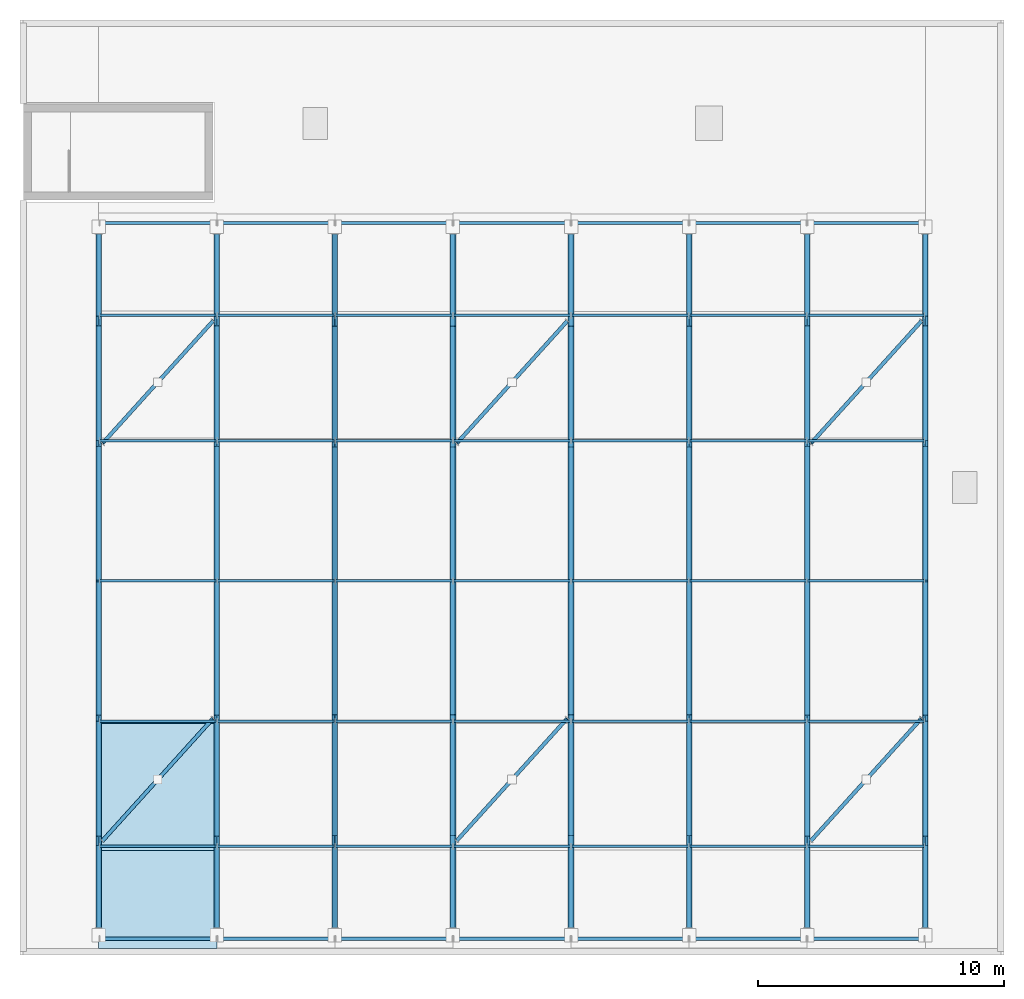
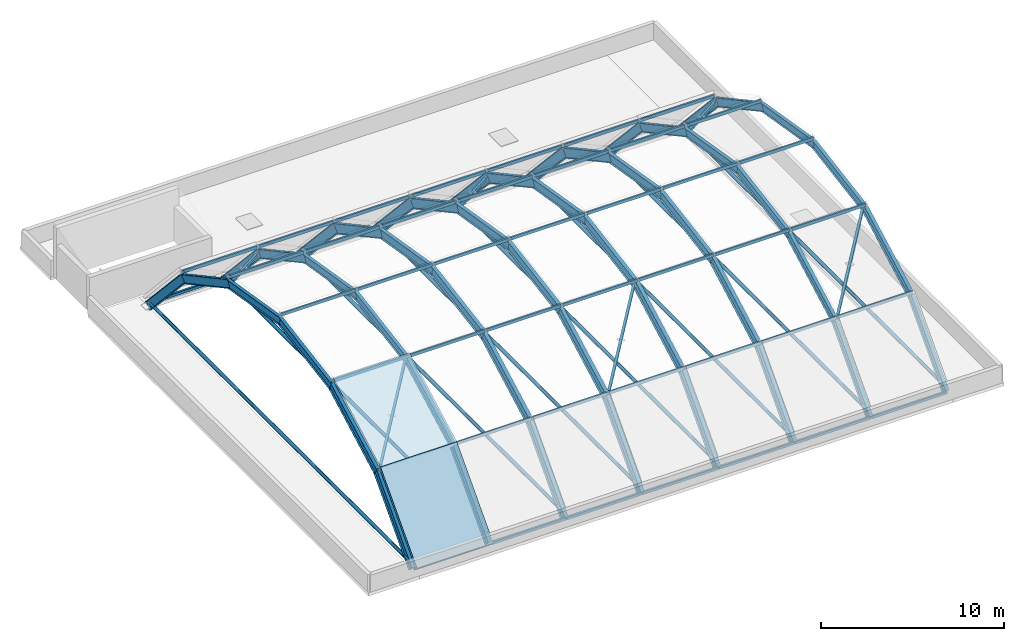
# One storey, part 1 of 10: 63 members, 48 beams, 2 slabs, 1 element without a shape of its own.
"""IFC4 building model written with IfcOpenShell, lengths in metres."""

from ifc_helpers import new_model, si_unit, direction, frame, origin, origin_2d, place, context, subcontext, project, spatial, polyline, hollow_rectangle, hollow_circle, i_section, outline, extrude, material, layer, layer_set, material_profile, profile_set, type_object, element, aggregate, save


model = new_model("IFC4")

# Units and contexts
model_context = context("Model", 3, precision=1e-05, world=origin(), true_north=direction((0.0, 1.0)))
body_context = subcontext(model_context, "Body", "Model", "MODEL_VIEW")
ifc_project = project(units=[si_unit("LENGTHUNIT", "METRE"), si_unit("AREAUNIT", "SQUARE_METRE"), si_unit("VOLUMEUNIT", "CUBIC_METRE"), si_unit("PLANEANGLEUNIT", "RADIAN"), si_unit("MASSUNIT", "GRAM", prefix="KILO")], contexts=[model_context])

# Site, building, storey
site_placement = place(None, origin())
site = spatial("IfcSite", under=ifc_project, at=site_placement, CompositionType="ELEMENT")
building_placement = place(site_placement, origin())
building = spatial("IfcBuilding", under=site, at=building_placement, Name="Zantavel Square City Hall", CompositionType="ELEMENT")
storey_placement = place(building_placement, frame((0.0, 0.0, 28.5)))
storey = spatial("IfcBuildingStorey", under=building, at=storey_placement, Name="RF", CompositionType="ELEMENT", Elevation=28.5)

# Beams
ifc_material_1 = material(Name="Steel ASTM A992 Grade 50", Category="steel")
ifc_material_profile_1 = material_profile(ifc_material_1, i_section(OverallWidth=0.22900390625, OverallDepth=0.612060546875, WebThickness=0.011962890625, FlangeThickness=0.01953125, at=origin_2d()), Name="W610x125")
ifc_profile_set_1 = profile_set([ifc_material_profile_1], Name="Steel ASTM A992 Grade 50")
beam_type_1 = type_object("IfcBeamType", Name="Barrel Vault Arch Chord W610x125", PredefinedType="BEAM", material=ifc_profile_set_1)
for number, where, z_axis, x_axis, name in (
    (1, (76.800048828125, 31.199951171875, 0.0), (0.0, 0.676828649025, 0.736140597888), (-1.0, 0.0, 0.0), "Barrel Vault Rib 3 Chord 1"),
    (2, (76.800048828125, 35.033447265625, 4.16943359375), (0.0, 0.879272409063, 0.476319252875), (-1.0, 0.0, 0.0), "Barrel Vault Rib 3 Chord 2"),
):
    element("IfcBeam", number, at=place(storey_placement, frame(where, z_axis=z_axis, x_axis=x_axis)), inside=storey, type_object=beam_type_1, Name=name, PredefinedType="BEAM", context=body_context, shape_type="SweptSolid", body=[
        extrude(i_section(OverallWidth=0.22900390625, OverallDepth=0.612060546875, WebThickness=0.011962890625, FlangeThickness=0.01953125, at=origin_2d()), origin(), (0.0, 0.0, 1.0), 5.663818359375),
    ])
beam_1_placement = place(storey_placement, frame((76.800048828125, 40.013427734375, 6.8671875), z_axis=(0.0, 0.986343784459, 0.164699541162), x_axis=(-1.0, 0.0, 0.0)))
element("IfcBeam", 3, at=beam_1_placement, inside=storey, type_object=beam_type_1, Name="Barrel Vault Rib 3 Chord 3", PredefinedType="BEAM", context=body_context, shape_type="SweptSolid", body=[
    extrude(i_section(OverallWidth=0.22900390625, OverallDepth=0.612060546875, WebThickness=0.011962890625, FlangeThickness=0.01953125, at=origin_2d()), origin(), (0.0, 0.0, 1.0), 5.6640625),
])
for number, where, z_axis, x_axis, name in (
    (4, (76.800048828125, 45.60009765625, 7.800048828125), (0.0, 0.986342615154, -0.164706543681), (-1.0, 0.0, 0.0), "Barrel Vault Rib 3 Chord 4"),
    (5, (76.800048828125, 51.1865234375, 6.8671875), (0.0, 0.879272409063, -0.476319252875), (-1.0, 0.0, 0.0), "Barrel Vault Rib 3 Chord 5"),
    (6, (76.800048828125, 56.16650390625, 4.16943359375), (0.0, 0.676828649025, -0.736140597888), (-1.0, 0.0, 0.0), "Barrel Vault Rib 3 Chord 6"),
    (7, (81.60009765625, 31.199951171875, 0.0), (0.0, 0.676828649025, 0.736140597888), (-1.0, 0.0, 0.0), "Barrel Vault Rib 4 Chord 1"),
    (8, (81.60009765625, 35.033447265625, 4.16943359375), (0.0, 0.879272409063, 0.476319252875), (-1.0, 0.0, 0.0), "Barrel Vault Rib 4 Chord 2"),
):
    element("IfcBeam", number, at=place(storey_placement, frame(where, z_axis=z_axis, x_axis=x_axis)), inside=storey, type_object=beam_type_1, Name=name, PredefinedType="BEAM", context=body_context, shape_type="SweptSolid", body=[
        extrude(i_section(OverallWidth=0.22900390625, OverallDepth=0.612060546875, WebThickness=0.011962890625, FlangeThickness=0.01953125, at=origin_2d()), origin(), (0.0, 0.0, 1.0), 5.663818359375),
    ])
beam_2_placement = place(storey_placement, frame((81.60009765625, 40.013427734375, 6.8671875), z_axis=(0.0, 0.986343784459, 0.164699541162), x_axis=(-1.0, 0.0, 0.0)))
element("IfcBeam", 9, at=beam_2_placement, inside=storey, type_object=beam_type_1, Name="Barrel Vault Rib 4 Chord 3", PredefinedType="BEAM", context=body_context, shape_type="SweptSolid", body=[
    extrude(i_section(OverallWidth=0.22900390625, OverallDepth=0.612060546875, WebThickness=0.011962890625, FlangeThickness=0.01953125, at=origin_2d()), origin(), (0.0, 0.0, 1.0), 5.6640625),
])
for number, where, z_axis, x_axis, name in (
    (10, (81.60009765625, 45.60009765625, 7.800048828125), (0.0, 0.986342615154, -0.164706543681), (-1.0, 0.0, 0.0), "Barrel Vault Rib 4 Chord 4"),
    (11, (81.60009765625, 51.1865234375, 6.8671875), (0.0, 0.879272409063, -0.476319252875), (-1.0, 0.0, 0.0), "Barrel Vault Rib 4 Chord 5"),
    (12, (81.60009765625, 56.16650390625, 4.16943359375), (0.0, 0.676828649025, -0.736140597888), (-1.0, 0.0, 0.0), "Barrel Vault Rib 4 Chord 6"),
    (13, (86.39990234375, 31.199951171875, 0.0), (0.0, 0.676828649025, 0.736140597888), (-1.0, 0.0, 0.0), "Barrel Vault Rib 5 Chord 1"),
    (14, (86.39990234375, 35.033447265625, 4.16943359375), (0.0, 0.879272409063, 0.476319252875), (-1.0, 0.0, 0.0), "Barrel Vault Rib 5 Chord 2"),
):
    element("IfcBeam", number, at=place(storey_placement, frame(where, z_axis=z_axis, x_axis=x_axis)), inside=storey, type_object=beam_type_1, Name=name, PredefinedType="BEAM", context=body_context, shape_type="SweptSolid", body=[
        extrude(i_section(OverallWidth=0.22900390625, OverallDepth=0.612060546875, WebThickness=0.011962890625, FlangeThickness=0.01953125, at=origin_2d()), origin(), (0.0, 0.0, 1.0), 5.663818359375),
    ])
beam_3_placement = place(storey_placement, frame((86.39990234375, 40.013427734375, 6.8671875), z_axis=(0.0, 0.986343784459, 0.164699541162), x_axis=(-1.0, 0.0, 0.0)))
element("IfcBeam", 15, at=beam_3_placement, inside=storey, type_object=beam_type_1, Name="Barrel Vault Rib 5 Chord 3", PredefinedType="BEAM", context=body_context, shape_type="SweptSolid", body=[
    extrude(i_section(OverallWidth=0.22900390625, OverallDepth=0.612060546875, WebThickness=0.011962890625, FlangeThickness=0.01953125, at=origin_2d()), origin(), (0.0, 0.0, 1.0), 5.6640625),
])
for number, where, z_axis, x_axis, name in (
    (16, (86.39990234375, 45.60009765625, 7.800048828125), (0.0, 0.986342615154, -0.164706543681), (-1.0, 0.0, 0.0), "Barrel Vault Rib 5 Chord 4"),
    (17, (86.39990234375, 51.1865234375, 6.8671875), (0.0, 0.879272409063, -0.476319252875), (-1.0, 0.0, 0.0), "Barrel Vault Rib 5 Chord 5"),
    (18, (86.39990234375, 56.16650390625, 4.16943359375), (0.0, 0.676828649025, -0.736140597888), (-1.0, 0.0, 0.0), "Barrel Vault Rib 5 Chord 6"),
    (19, (91.199951171875, 31.199951171875, 0.0), (0.0, 0.676828649025, 0.736140597888), (-1.0, 0.0, 0.0), "Barrel Vault Rib 6 Chord 1"),
    (20, (91.199951171875, 35.033447265625, 4.16943359375), (0.0, 0.879272409063, 0.476319252875), (-1.0, 0.0, 0.0), "Barrel Vault Rib 6 Chord 2"),
):
    element("IfcBeam", number, at=place(storey_placement, frame(where, z_axis=z_axis, x_axis=x_axis)), inside=storey, type_object=beam_type_1, Name=name, PredefinedType="BEAM", context=body_context, shape_type="SweptSolid", body=[
        extrude(i_section(OverallWidth=0.22900390625, OverallDepth=0.612060546875, WebThickness=0.011962890625, FlangeThickness=0.01953125, at=origin_2d()), origin(), (0.0, 0.0, 1.0), 5.663818359375),
    ])
beam_4_placement = place(storey_placement, frame((91.199951171875, 40.013427734375, 6.8671875), z_axis=(0.0, 0.986343784459, 0.164699541162), x_axis=(-1.0, 0.0, 0.0)))
element("IfcBeam", 21, at=beam_4_placement, inside=storey, type_object=beam_type_1, Name="Barrel Vault Rib 6 Chord 3", PredefinedType="BEAM", context=body_context, shape_type="SweptSolid", body=[
    extrude(i_section(OverallWidth=0.22900390625, OverallDepth=0.612060546875, WebThickness=0.011962890625, FlangeThickness=0.01953125, at=origin_2d()), origin(), (0.0, 0.0, 1.0), 5.6640625),
])
for number, where, z_axis, x_axis, name in (
    (22, (91.199951171875, 45.60009765625, 7.800048828125), (0.0, 0.986342615154, -0.164706543681), (-1.0, 0.0, 0.0), "Barrel Vault Rib 6 Chord 4"),
    (23, (91.199951171875, 51.1865234375, 6.8671875), (0.0, 0.879272409063, -0.476319252875), (-1.0, 0.0, 0.0), "Barrel Vault Rib 6 Chord 5"),
    (24, (91.199951171875, 56.16650390625, 4.16943359375), (0.0, 0.676828649025, -0.736140597888), (-1.0, 0.0, 0.0), "Barrel Vault Rib 6 Chord 6"),
):
    element("IfcBeam", number, at=place(storey_placement, frame(where, z_axis=z_axis, x_axis=x_axis)), inside=storey, type_object=beam_type_1, Name=name, PredefinedType="BEAM", context=body_context, shape_type="SweptSolid", body=[
        extrude(i_section(OverallWidth=0.22900390625, OverallDepth=0.612060546875, WebThickness=0.011962890625, FlangeThickness=0.01953125, at=origin_2d()), origin(), (0.0, 0.0, 1.0), 5.663818359375),
    ])
ifc_material_profile_2 = material_profile(ifc_material_1, i_section(OverallWidth=0.2099609375, OverallDepth=0.537109375, WebThickness=0.010986328125, FlangeThickness=0.017333984375, at=origin_2d()), Name="W530x101")
ifc_profile_set_2 = profile_set([ifc_material_profile_2], Name="Steel ASTM A992 Grade 50")
beam_type_2 = type_object("IfcBeamType", Name="Barrel Vault End Rib W530x101", PredefinedType="BEAM", material=ifc_profile_set_2)
for number, where, z_axis, x_axis, name in (
    (25, (67.199951171875, 31.199951171875, 0.0), (0.0, 0.676828649025, 0.736140597888), (-1.0, 0.0, 0.0), "Barrel Vault Rib 1 Chord 1"),
    (26, (67.199951171875, 35.033447265625, 4.16943359375), (0.0, 0.879272409063, 0.476319252875), (-1.0, 0.0, 0.0), "Barrel Vault Rib 1 Chord 2"),
):
    element("IfcBeam", number, at=place(storey_placement, frame(where, z_axis=z_axis, x_axis=x_axis)), inside=storey, type_object=beam_type_2, Name=name, PredefinedType="BEAM", context=body_context, shape_type="SweptSolid", body=[
        extrude(i_section(OverallWidth=0.2099609375, OverallDepth=0.537109375, WebThickness=0.010986328125, FlangeThickness=0.017333984375, at=origin_2d()), origin(), (0.0, 0.0, 1.0), 5.663818359375),
    ])
beam_5_placement = place(storey_placement, frame((67.199951171875, 40.013427734375, 6.8671875), z_axis=(0.0, 0.986343784459, 0.164699541162), x_axis=(-1.0, 0.0, 0.0)))
element("IfcBeam", 27, at=beam_5_placement, inside=storey, type_object=beam_type_2, Name="Barrel Vault Rib 1 Chord 3", PredefinedType="BEAM", context=body_context, shape_type="SweptSolid", body=[
    extrude(i_section(OverallWidth=0.2099609375, OverallDepth=0.537109375, WebThickness=0.010986328125, FlangeThickness=0.017333984375, at=origin_2d()), origin(), (0.0, 0.0, 1.0), 5.6640625),
])
for number, where, z_axis, x_axis, name in (
    (28, (67.199951171875, 45.60009765625, 7.800048828125), (0.0, 0.986342615154, -0.164706543681), (-1.0, 0.0, 0.0), "Barrel Vault Rib 1 Chord 4"),
    (29, (67.199951171875, 51.1865234375, 6.8671875), (0.0, 0.879272409063, -0.476319252875), (-1.0, 0.0, 0.0), "Barrel Vault Rib 1 Chord 5"),
    (30, (67.199951171875, 56.16650390625, 4.16943359375), (0.0, 0.676828649025, -0.736140597888), (-1.0, 0.0, 0.0), "Barrel Vault Rib 1 Chord 6"),
    (31, (100.800048828125, 31.199951171875, 0.0), (0.0, 0.676828649025, 0.736140597888), (-1.0, 0.0, 0.0), "Barrel Vault Rib 8 Chord 1"),
    (32, (100.800048828125, 35.033447265625, 4.16943359375), (0.0, 0.879272409063, 0.476319252875), (-1.0, 0.0, 0.0), "Barrel Vault Rib 8 Chord 2"),
):
    element("IfcBeam", number, at=place(storey_placement, frame(where, z_axis=z_axis, x_axis=x_axis)), inside=storey, type_object=beam_type_2, Name=name, PredefinedType="BEAM", context=body_context, shape_type="SweptSolid", body=[
        extrude(i_section(OverallWidth=0.2099609375, OverallDepth=0.537109375, WebThickness=0.010986328125, FlangeThickness=0.017333984375, at=origin_2d()), origin(), (0.0, 0.0, 1.0), 5.663818359375),
    ])
beam_6_placement = place(storey_placement, frame((100.800048828125, 40.013427734375, 6.8671875), z_axis=(0.0, 0.986343784459, 0.164699541162), x_axis=(-1.0, 0.0, 0.0)))
element("IfcBeam", 33, at=beam_6_placement, inside=storey, type_object=beam_type_2, Name="Barrel Vault Rib 8 Chord 3", PredefinedType="BEAM", context=body_context, shape_type="SweptSolid", body=[
    extrude(i_section(OverallWidth=0.2099609375, OverallDepth=0.537109375, WebThickness=0.010986328125, FlangeThickness=0.017333984375, at=origin_2d()), origin(), (0.0, 0.0, 1.0), 5.6640625),
])
for number, where, z_axis, x_axis, name in (
    (34, (100.800048828125, 45.60009765625, 7.800048828125), (0.0, 0.986342615154, -0.164706543681), (-1.0, 0.0, 0.0), "Barrel Vault Rib 8 Chord 4"),
    (35, (100.800048828125, 51.1865234375, 6.8671875), (0.0, 0.879272409063, -0.476319252875), (-1.0, 0.0, 0.0), "Barrel Vault Rib 8 Chord 5"),
    (36, (100.800048828125, 56.16650390625, 4.16943359375), (0.0, 0.676828649025, -0.736140597888), (-1.0, 0.0, 0.0), "Barrel Vault Rib 8 Chord 6"),
):
    element("IfcBeam", number, at=place(storey_placement, frame(where, z_axis=z_axis, x_axis=x_axis)), inside=storey, type_object=beam_type_2, Name=name, PredefinedType="BEAM", context=body_context, shape_type="SweptSolid", body=[
        extrude(i_section(OverallWidth=0.2099609375, OverallDepth=0.537109375, WebThickness=0.010986328125, FlangeThickness=0.017333984375, at=origin_2d()), origin(), (0.0, 0.0, 1.0), 5.663818359375),
    ])
ifc_material_profile_3 = material_profile(ifc_material_1, i_section(OverallWidth=0.208984375, OverallDepth=0.532958984375, WebThickness=0.01025390625, FlangeThickness=0.015625, at=origin_2d()), Name="W530x92")
ifc_profile_set_3 = profile_set([ifc_material_profile_3], Name="Steel ASTM A992 Grade 50")
beam_type_3 = type_object("IfcBeamType", Name="Barrel Vault Quarter-Point Rib W530x92", PredefinedType="BEAM", material=ifc_profile_set_3)
for number, where, z_axis, x_axis, name in (
    (37, (72.0, 31.199951171875, 0.0), (0.0, 0.676828649025, 0.736140597888), (-1.0, 0.0, 0.0), "Barrel Vault Rib 2 Chord 1"),
    (38, (72.0, 35.033447265625, 4.16943359375), (0.0, 0.879272409063, 0.476319252875), (-1.0, 0.0, 0.0), "Barrel Vault Rib 2 Chord 2"),
):
    element("IfcBeam", number, at=place(storey_placement, frame(where, z_axis=z_axis, x_axis=x_axis)), inside=storey, type_object=beam_type_3, Name=name, PredefinedType="BEAM", context=body_context, shape_type="SweptSolid", body=[
        extrude(i_section(OverallWidth=0.208984375, OverallDepth=0.532958984375, WebThickness=0.01025390625, FlangeThickness=0.015625, at=origin_2d()), origin(), (0.0, 0.0, 1.0), 5.663818359375),
    ])
beam_7_placement = place(storey_placement, frame((72.0, 40.013427734375, 6.8671875), z_axis=(0.0, 0.986343784459, 0.164699541162), x_axis=(-1.0, 0.0, 0.0)))
element("IfcBeam", 39, at=beam_7_placement, inside=storey, type_object=beam_type_3, Name="Barrel Vault Rib 2 Chord 3", PredefinedType="BEAM", context=body_context, shape_type="SweptSolid", body=[
    extrude(i_section(OverallWidth=0.208984375, OverallDepth=0.532958984375, WebThickness=0.01025390625, FlangeThickness=0.015625, at=origin_2d()), origin(), (0.0, 0.0, 1.0), 5.6640625),
])
for number, where, z_axis, x_axis, name in (
    (40, (72.0, 45.60009765625, 7.800048828125), (0.0, 0.986342615154, -0.164706543681), (-1.0, 0.0, 0.0), "Barrel Vault Rib 2 Chord 4"),
    (41, (72.0, 51.1865234375, 6.8671875), (0.0, 0.879272409063, -0.476319252875), (-1.0, 0.0, 0.0), "Barrel Vault Rib 2 Chord 5"),
    (42, (72.0, 56.16650390625, 4.16943359375), (0.0, 0.676828649025, -0.736140597888), (-1.0, 0.0, 0.0), "Barrel Vault Rib 2 Chord 6"),
    (43, (96.0, 31.199951171875, 0.0), (0.0, 0.676828649025, 0.736140597888), (-1.0, 0.0, 0.0), "Barrel Vault Rib 7 Chord 1"),
    (44, (96.0, 35.033447265625, 4.16943359375), (0.0, 0.879272409063, 0.476319252875), (-1.0, 0.0, 0.0), "Barrel Vault Rib 7 Chord 2"),
):
    element("IfcBeam", number, at=place(storey_placement, frame(where, z_axis=z_axis, x_axis=x_axis)), inside=storey, type_object=beam_type_3, Name=name, PredefinedType="BEAM", context=body_context, shape_type="SweptSolid", body=[
        extrude(i_section(OverallWidth=0.208984375, OverallDepth=0.532958984375, WebThickness=0.01025390625, FlangeThickness=0.015625, at=origin_2d()), origin(), (0.0, 0.0, 1.0), 5.663818359375),
    ])
beam_8_placement = place(storey_placement, frame((96.0, 40.013427734375, 6.8671875), z_axis=(0.0, 0.986343784459, 0.164699541162), x_axis=(-1.0, 0.0, 0.0)))
element("IfcBeam", 45, at=beam_8_placement, inside=storey, type_object=beam_type_3, Name="Barrel Vault Rib 7 Chord 3", PredefinedType="BEAM", context=body_context, shape_type="SweptSolid", body=[
    extrude(i_section(OverallWidth=0.208984375, OverallDepth=0.532958984375, WebThickness=0.01025390625, FlangeThickness=0.015625, at=origin_2d()), origin(), (0.0, 0.0, 1.0), 5.6640625),
])
for number, where, z_axis, x_axis, name in (
    (46, (96.0, 45.60009765625, 7.800048828125), (0.0, 0.986342615154, -0.164706543681), (-1.0, 0.0, 0.0), "Barrel Vault Rib 7 Chord 4"),
    (47, (96.0, 51.1865234375, 6.8671875), (0.0, 0.879272409063, -0.476319252875), (-1.0, 0.0, 0.0), "Barrel Vault Rib 7 Chord 5"),
    (48, (96.0, 56.16650390625, 4.16943359375), (0.0, 0.676828649025, -0.736140597888), (-1.0, 0.0, 0.0), "Barrel Vault Rib 7 Chord 6"),
):
    element("IfcBeam", number, at=place(storey_placement, frame(where, z_axis=z_axis, x_axis=x_axis)), inside=storey, type_object=beam_type_3, Name=name, PredefinedType="BEAM", context=body_context, shape_type="SweptSolid", body=[
        extrude(i_section(OverallWidth=0.208984375, OverallDepth=0.532958984375, WebThickness=0.01025390625, FlangeThickness=0.015625, at=origin_2d()), origin(), (0.0, 0.0, 1.0), 5.663818359375),
    ])

# Members
ifc_material_2 = material(Name="Steel ASTM A500 Grade B", Category="steel")
ifc_material_profile_4 = material_profile(ifc_material_2, hollow_circle(Radius=0.109619140625, WallThickness=0.010009765625, at=origin_2d()), Name="CHS 219.1x10.0")
ifc_profile_set_4 = profile_set([ifc_material_profile_4], Name="Steel ASTM A500 Grade B")
member_type_1 = type_object("IfcMemberType", Name="Vault Arch Tension Tie CHS 219.1x10.0", PredefinedType="CHORD", material=ifc_profile_set_4)
for number, where, z_axis, x_axis, name in (
    (49, (67.199951171875, 31.5, 0.35009765625), (0.0, 1.0, 0.0), (-1.0, 0.0, 0.0), "Barrel Vault Rib 1 Tension Tie"),
    (50, (72.0, 31.5, 0.35009765625), (0.0, 1.0, 0.0), (-1.0, 0.0, 0.0), "Barrel Vault Rib 2 Tension Tie"),
    (51, (76.800048828125, 31.5, 0.35009765625), (0.0, 1.0, 0.0), (-1.0, 0.0, 0.0), "Barrel Vault Rib 3 Tension Tie"),
    (52, (81.60009765625, 31.5, 0.35009765625), (0.0, 1.0, 0.0), (-1.0, 0.0, 0.0), "Barrel Vault Rib 4 Tension Tie"),
    (53, (86.39990234375, 31.5, 0.35009765625), (0.0, 1.0, 0.0), (-1.0, 0.0, 0.0), "Barrel Vault Rib 5 Tension Tie"),
    (54, (91.199951171875, 31.5, 0.35009765625), (0.0, 1.0, 0.0), (-1.0, 0.0, 0.0), "Barrel Vault Rib 6 Tension Tie"),
    (55, (96.0, 31.5, 0.35009765625), (0.0, 1.0, 0.0), (-1.0, 0.0, 0.0), "Barrel Vault Rib 7 Tension Tie"),
    (56, (100.800048828125, 31.5, 0.35009765625), (0.0, 1.0, 0.0), (-1.0, 0.0, 0.0), "Barrel Vault Rib 8 Tension Tie"),
):
    element("IfcMember", number, at=place(storey_placement, frame(where, z_axis=z_axis, x_axis=x_axis)), inside=storey, type_object=member_type_1, Name=name, PredefinedType="CHORD", context=body_context, shape_type="SweptSolid", body=[
        extrude(hollow_circle(Radius=0.109619140625, WallThickness=0.010009765625, at=origin_2d()), origin(), (0.0, 0.0, 1.0), 28.199951171875),
    ])
ifc_material_profile_5 = material_profile(ifc_material_2, hollow_rectangle(XDim=0.152099609375, YDim=0.152099609375, WallThickness=0.008056640625, at=origin_2d()), Name="HSS 152x152x8.0")
ifc_profile_set_5 = profile_set([ifc_material_profile_5], Name="Steel ASTM A500 Grade B")
member_type_2 = type_object("IfcMemberType", Name="Vault Diagonal Brace HSS 152x152x8.0", PredefinedType="BRACE", material=ifc_profile_set_5)
for number, where, z_axis, x_axis, name in (
    (57, (67.35009765625, 35.033447265625, 4.16943359375), (0.622078378753, 0.688430705827, 0.372936528061), (-0.741957879657, 0.670446496609, 0.0), "Vault Wind Brace B1-C2"),
    (58, (67.35009765625, 51.1865234375, 6.8671875), (0.622078378753, 0.688430705827, -0.372936528061), (-0.741957879657, 0.670446496609, 0.0), "Vault Wind Brace B1-C5"),
    (59, (81.75, 35.033447265625, 4.16943359375), (0.622078378753, 0.688430705827, 0.372936528061), (-0.741957879657, 0.670446496609, 0.0), "Vault Wind Brace B4-C2"),
    (60, (81.75, 51.1865234375, 6.8671875), (0.622078378753, 0.688430705827, -0.372936528061), (-0.741957879657, 0.670446496609, 0.0), "Vault Wind Brace B4-C5"),
    (61, (96.14990234375, 35.033447265625, 4.16943359375), (0.622078378753, 0.688430705827, 0.372936528061), (-0.741957879657, 0.670446496609, 0.0), "Vault Wind Brace B7-C2"),
    (62, (96.14990234375, 51.1865234375, 6.8671875), (0.622078378753, 0.688430705827, -0.372936528061), (-0.741957879657, 0.670446496609, 0.0), "Vault Wind Brace B7-C5"),
):
    element("IfcMember", number, at=place(storey_placement, frame(where, z_axis=z_axis, x_axis=x_axis)), inside=storey, type_object=member_type_2, Name=name, PredefinedType="BRACE", context=body_context, shape_type="SweptSolid", body=[
        extrude(hollow_rectangle(XDim=0.152099609375, YDim=0.152099609375, WallThickness=0.008056640625, at=origin_2d()), origin(), (0.0, 0.0, 1.0), 7.23388671875),
    ])
ifc_material_profile_6 = material_profile(ifc_material_2, hollow_rectangle(XDim=0.126953125, YDim=0.177978515625, WallThickness=0.008056640625, at=origin_2d()), Name="HSS 178x127x8.0")
ifc_profile_set_6 = profile_set([ifc_material_profile_6], Name="Steel ASTM A500 Grade B")
member_type_3 = type_object("IfcMemberType", Name="Vault Eave Strut Purlin HSS 178x127x8.0", PredefinedType="PURLIN", material=ifc_profile_set_6)
for number, where, z_axis, x_axis, name in (
    (63, (67.22998046875, 31.050048828125, 0.089111328125), (1.0, 0.0, 0.0), (0.0, 1.0, 0.0), "Vault Bay 1 Purlin 1"),
    (64, (67.22998046875, 60.14990234375, 0.089111328125), (1.0, 0.0, 0.0), (0.0, 1.0, 0.0), "Vault Bay 1 Purlin 7"),
    (65, (72.030029296875, 31.050048828125, 0.089111328125), (1.0, 0.0, 0.0), (0.0, 1.0, 0.0), "Vault Bay 2 Purlin 1"),
    (66, (72.030029296875, 60.14990234375, 0.089111328125), (1.0, 0.0, 0.0), (0.0, 1.0, 0.0), "Vault Bay 2 Purlin 7"),
    (67, (76.830078125, 31.050048828125, 0.089111328125), (1.0, 0.0, 0.0), (0.0, 1.0, 0.0), "Vault Bay 3 Purlin 1"),
    (68, (76.830078125, 60.14990234375, 0.089111328125), (1.0, 0.0, 0.0), (0.0, 1.0, 0.0), "Vault Bay 3 Purlin 7"),
):
    element("IfcMember", number, at=place(storey_placement, frame(where, z_axis=z_axis, x_axis=x_axis)), inside=storey, type_object=member_type_3, Name=name, PredefinedType="PURLIN", context=body_context, shape_type="SweptSolid", body=[
        extrude(hollow_rectangle(XDim=0.126953125, YDim=0.177978515625, WallThickness=0.008056640625, at=origin_2d()), origin(), (0.0, 0.0, 1.0), 4.739990234375),
    ])
for number, where, z_axis, x_axis, name in (
    (69, (81.6298828125, 31.050048828125, 0.089111328125), (1.0, 0.0, 0.0), (0.0, 1.0, 0.0), "Vault Bay 4 Purlin 1"),
    (70, (81.6298828125, 60.14990234375, 0.089111328125), (1.0, 0.0, 0.0), (0.0, 1.0, 0.0), "Vault Bay 4 Purlin 7"),
):
    element("IfcMember", number, at=place(storey_placement, frame(where, z_axis=z_axis, x_axis=x_axis)), inside=storey, type_object=member_type_3, Name=name, PredefinedType="PURLIN", context=body_context, shape_type="SweptSolid", body=[
        extrude(hollow_rectangle(XDim=0.126953125, YDim=0.177978515625, WallThickness=0.008056640625, at=origin_2d()), origin(), (0.0, 0.0, 1.0), 4.740234375),
    ])
for number, where, z_axis, x_axis, name in (
    (71, (86.429931640625, 31.050048828125, 0.089111328125), (1.0, 0.0, 0.0), (0.0, 1.0, 0.0), "Vault Bay 5 Purlin 1"),
    (72, (86.429931640625, 60.14990234375, 0.089111328125), (1.0, 0.0, 0.0), (0.0, 1.0, 0.0), "Vault Bay 5 Purlin 7"),
    (73, (91.22998046875, 31.050048828125, 0.089111328125), (1.0, 0.0, 0.0), (0.0, 1.0, 0.0), "Vault Bay 6 Purlin 1"),
    (74, (91.22998046875, 60.14990234375, 0.089111328125), (1.0, 0.0, 0.0), (0.0, 1.0, 0.0), "Vault Bay 6 Purlin 7"),
    (75, (96.030029296875, 31.050048828125, 0.089111328125), (1.0, 0.0, 0.0), (0.0, 1.0, 0.0), "Vault Bay 7 Purlin 1"),
    (76, (96.030029296875, 60.14990234375, 0.089111328125), (1.0, 0.0, 0.0), (0.0, 1.0, 0.0), "Vault Bay 7 Purlin 7"),
):
    element("IfcMember", number, at=place(storey_placement, frame(where, z_axis=z_axis, x_axis=x_axis)), inside=storey, type_object=member_type_3, Name=name, PredefinedType="PURLIN", context=body_context, shape_type="SweptSolid", body=[
        extrude(hollow_rectangle(XDim=0.126953125, YDim=0.177978515625, WallThickness=0.008056640625, at=origin_2d()), origin(), (0.0, 0.0, 1.0), 4.739990234375),
    ])
ifc_material_profile_7 = material_profile(ifc_material_2, hollow_rectangle(XDim=0.10205078125, YDim=0.202880859375, WallThickness=0.009521484375, at=origin_2d()), Name="HSS 203x102x9.5")
ifc_profile_set_7 = profile_set([ifc_material_profile_7], Name="Steel ASTM A500 Grade B")
member_type_4 = type_object("IfcMemberType", Name="Vault HSS Purlin 203x102x9.5", PredefinedType="PURLIN", material=ifc_profile_set_7)
for number, where, z_axis, x_axis, name in (
    (77, (67.22998046875, 34.8076171875, 4.45947265625), (1.0, 0.0, 0.0), (0.0, 1.0, 0.0), "Vault Bay 1 Purlin 2"),
    (78, (67.22998046875, 39.89404296875, 7.214599609375), (1.0, 0.0, 0.0), (0.0, 1.0, 0.0), "Vault Bay 1 Purlin 3"),
    (79, (67.22998046875, 45.60009765625, 8.16748046875), (1.0, 0.0, 0.0), (0.0, 1.0, 0.0), "Vault Bay 1 Purlin 4"),
    (80, (67.22998046875, 51.305908203125, 7.214599609375), (1.0, 0.0, 0.0), (0.0, 1.0, 0.0), "Vault Bay 1 Purlin 5"),
    (81, (67.22998046875, 56.392578125, 4.45947265625), (1.0, 0.0, 0.0), (0.0, 1.0, 0.0), "Vault Bay 1 Purlin 6"),
    (82, (72.030029296875, 34.8076171875, 4.45947265625), (1.0, 0.0, 0.0), (0.0, 1.0, 0.0), "Vault Bay 2 Purlin 2"),
    (83, (72.030029296875, 39.89404296875, 7.214599609375), (1.0, 0.0, 0.0), (0.0, 1.0, 0.0), "Vault Bay 2 Purlin 3"),
    (84, (72.030029296875, 45.60009765625, 8.16748046875), (1.0, 0.0, 0.0), (0.0, 1.0, 0.0), "Vault Bay 2 Purlin 4"),
    (85, (72.030029296875, 51.305908203125, 7.214599609375), (1.0, 0.0, 0.0), (0.0, 1.0, 0.0), "Vault Bay 2 Purlin 5"),
    (86, (72.030029296875, 56.392578125, 4.45947265625), (1.0, 0.0, 0.0), (0.0, 1.0, 0.0), "Vault Bay 2 Purlin 6"),
    (87, (76.830078125, 34.8076171875, 4.45947265625), (1.0, 0.0, 0.0), (0.0, 1.0, 0.0), "Vault Bay 3 Purlin 2"),
    (88, (76.830078125, 39.89404296875, 7.214599609375), (1.0, 0.0, 0.0), (0.0, 1.0, 0.0), "Vault Bay 3 Purlin 3"),
    (89, (76.830078125, 45.60009765625, 8.16748046875), (1.0, 0.0, 0.0), (0.0, 1.0, 0.0), "Vault Bay 3 Purlin 4"),
    (90, (76.830078125, 51.305908203125, 7.214599609375), (1.0, 0.0, 0.0), (0.0, 1.0, 0.0), "Vault Bay 3 Purlin 5"),
    (91, (76.830078125, 56.392578125, 4.45947265625), (1.0, 0.0, 0.0), (0.0, 1.0, 0.0), "Vault Bay 3 Purlin 6"),
):
    element("IfcMember", number, at=place(storey_placement, frame(where, z_axis=z_axis, x_axis=x_axis)), inside=storey, type_object=member_type_4, Name=name, PredefinedType="PURLIN", context=body_context, shape_type="SweptSolid", body=[
        extrude(hollow_rectangle(XDim=0.10205078125, YDim=0.202880859375, WallThickness=0.009521484375, at=origin_2d()), origin(), (0.0, 0.0, 1.0), 4.739990234375),
    ])
for number, where, z_axis, x_axis, name in (
    (92, (81.6298828125, 34.8076171875, 4.45947265625), (1.0, 0.0, 0.0), (0.0, 1.0, 0.0), "Vault Bay 4 Purlin 2"),
    (93, (81.6298828125, 39.89404296875, 7.214599609375), (1.0, 0.0, 0.0), (0.0, 1.0, 0.0), "Vault Bay 4 Purlin 3"),
    (94, (81.6298828125, 45.60009765625, 8.16748046875), (1.0, 0.0, 0.0), (0.0, 1.0, 0.0), "Vault Bay 4 Purlin 4"),
    (95, (81.6298828125, 51.305908203125, 7.214599609375), (1.0, 0.0, 0.0), (0.0, 1.0, 0.0), "Vault Bay 4 Purlin 5"),
    (96, (81.6298828125, 56.392578125, 4.45947265625), (1.0, 0.0, 0.0), (0.0, 1.0, 0.0), "Vault Bay 4 Purlin 6"),
):
    element("IfcMember", number, at=place(storey_placement, frame(where, z_axis=z_axis, x_axis=x_axis)), inside=storey, type_object=member_type_4, Name=name, PredefinedType="PURLIN", context=body_context, shape_type="SweptSolid", body=[
        extrude(hollow_rectangle(XDim=0.10205078125, YDim=0.202880859375, WallThickness=0.009521484375, at=origin_2d()), origin(), (0.0, 0.0, 1.0), 4.740234375),
    ])
for number, where, z_axis, x_axis, name in (
    (97, (86.429931640625, 34.8076171875, 4.45947265625), (1.0, 0.0, 0.0), (0.0, 1.0, 0.0), "Vault Bay 5 Purlin 2"),
    (98, (86.429931640625, 39.89404296875, 7.214599609375), (1.0, 0.0, 0.0), (0.0, 1.0, 0.0), "Vault Bay 5 Purlin 3"),
    (99, (86.429931640625, 45.60009765625, 8.16748046875), (1.0, 0.0, 0.0), (0.0, 1.0, 0.0), "Vault Bay 5 Purlin 4"),
    (100, (86.429931640625, 51.305908203125, 7.214599609375), (1.0, 0.0, 0.0), (0.0, 1.0, 0.0), "Vault Bay 5 Purlin 5"),
    (101, (86.429931640625, 56.392578125, 4.45947265625), (1.0, 0.0, 0.0), (0.0, 1.0, 0.0), "Vault Bay 5 Purlin 6"),
    (102, (91.22998046875, 34.8076171875, 4.45947265625), (1.0, 0.0, 0.0), (0.0, 1.0, 0.0), "Vault Bay 6 Purlin 2"),
    (103, (91.22998046875, 39.89404296875, 7.214599609375), (1.0, 0.0, 0.0), (0.0, 1.0, 0.0), "Vault Bay 6 Purlin 3"),
    (104, (91.22998046875, 45.60009765625, 8.16748046875), (1.0, 0.0, 0.0), (0.0, 1.0, 0.0), "Vault Bay 6 Purlin 4"),
    (105, (91.22998046875, 51.305908203125, 7.214599609375), (1.0, 0.0, 0.0), (0.0, 1.0, 0.0), "Vault Bay 6 Purlin 5"),
    (106, (91.22998046875, 56.392578125, 4.45947265625), (1.0, 0.0, 0.0), (0.0, 1.0, 0.0), "Vault Bay 6 Purlin 6"),
    (107, (96.030029296875, 34.8076171875, 4.45947265625), (1.0, 0.0, 0.0), (0.0, 1.0, 0.0), "Vault Bay 7 Purlin 2"),
    (108, (96.030029296875, 39.89404296875, 7.214599609375), (1.0, 0.0, 0.0), (0.0, 1.0, 0.0), "Vault Bay 7 Purlin 3"),
    (109, (96.030029296875, 45.60009765625, 8.16748046875), (1.0, 0.0, 0.0), (0.0, 1.0, 0.0), "Vault Bay 7 Purlin 4"),
    (110, (96.030029296875, 51.305908203125, 7.214599609375), (1.0, 0.0, 0.0), (0.0, 1.0, 0.0), "Vault Bay 7 Purlin 5"),
    (111, (96.030029296875, 56.392578125, 4.45947265625), (1.0, 0.0, 0.0), (0.0, 1.0, 0.0), "Vault Bay 7 Purlin 6"),
):
    element("IfcMember", number, at=place(storey_placement, frame(where, z_axis=z_axis, x_axis=x_axis)), inside=storey, type_object=member_type_4, Name=name, PredefinedType="PURLIN", context=body_context, shape_type="SweptSolid", body=[
        extrude(hollow_rectangle(XDim=0.10205078125, YDim=0.202880859375, WallThickness=0.009521484375, at=origin_2d()), origin(), (0.0, 0.0, 1.0), 4.739990234375),
    ])

# Roof, slabs
roof_type = type_object("IfcRoofType", Name="Council Barrel Vault Steel Roof Assembly", PredefinedType="BARREL_ROOF", material=ifc_material_1)
roof_placement = place(storey_placement, origin())
roof = element("IfcRoof", 112, at=roof_placement, inside=storey, type_object=roof_type, Name="Council Chamber Exposed Steel Barrel-Vault Roof", PredefinedType="BARREL_ROOF")
ifc_material_3 = material(Name="Concrete C35/45", Category="concrete")
ifc_layer = layer(ifc_material_3, 0.179931640625, Name="Concrete C35/45")
ifc_layer_set = layer_set([ifc_layer], Name="Concrete C35/45")
slab_type = type_object("IfcSlabType", Name="Mansard Sloped Roof Deck 180mm C35/45", PredefinedType="ROOF", material=ifc_layer_set)
slab_1_placement = place(storey_placement, frame((67.199951171875, 30.65185546875, 0.357666015625), z_axis=(0.0, -0.736153601627, 0.676814505467), x_axis=(1.0, 0.0, 0.0)))
slab_1 = element("IfcSlab", 113, at=slab_1_placement, type_object=slab_type, Name="Barrel Vault Bay 1 Roof Facet 1", PredefinedType="ROOF", context=body_context, shape_type="SweptSolid", body=[
    extrude(outline(polyline([(0.0, 0.0), (4.800048828125, 0.0), (4.800048828125, 5.879377606021194), (0.0, 5.879377606021194), (0.0, 0.0)])), origin(), (0.0, 0.0, -1.0), 0.179931640625),
])
slab_2_placement = place(storey_placement, frame((67.199951171875, 34.631103515625, 4.685791015625), z_axis=(0.0, -0.476289837091, 0.879288343539), x_axis=(1.0, 0.0, 0.0)))
slab_2 = element("IfcSlab", 114, at=slab_2_placement, type_object=slab_type, Name="Barrel Vault Bay 1 Roof Facet 2", PredefinedType="ROOF", context=body_context, shape_type="SweptSolid", body=[
    extrude(outline(polyline([(0.0, 0.0), (4.800048828125, 0.0), (4.800048828125, 5.879388453582848), (0.0, 5.879388453582848), (0.0, 0.0)])), origin(), (0.0, 0.0, -1.0), 0.179931640625),
])
aggregate(roof, [slab_1, slab_2])

save(model, "model.ifc")
